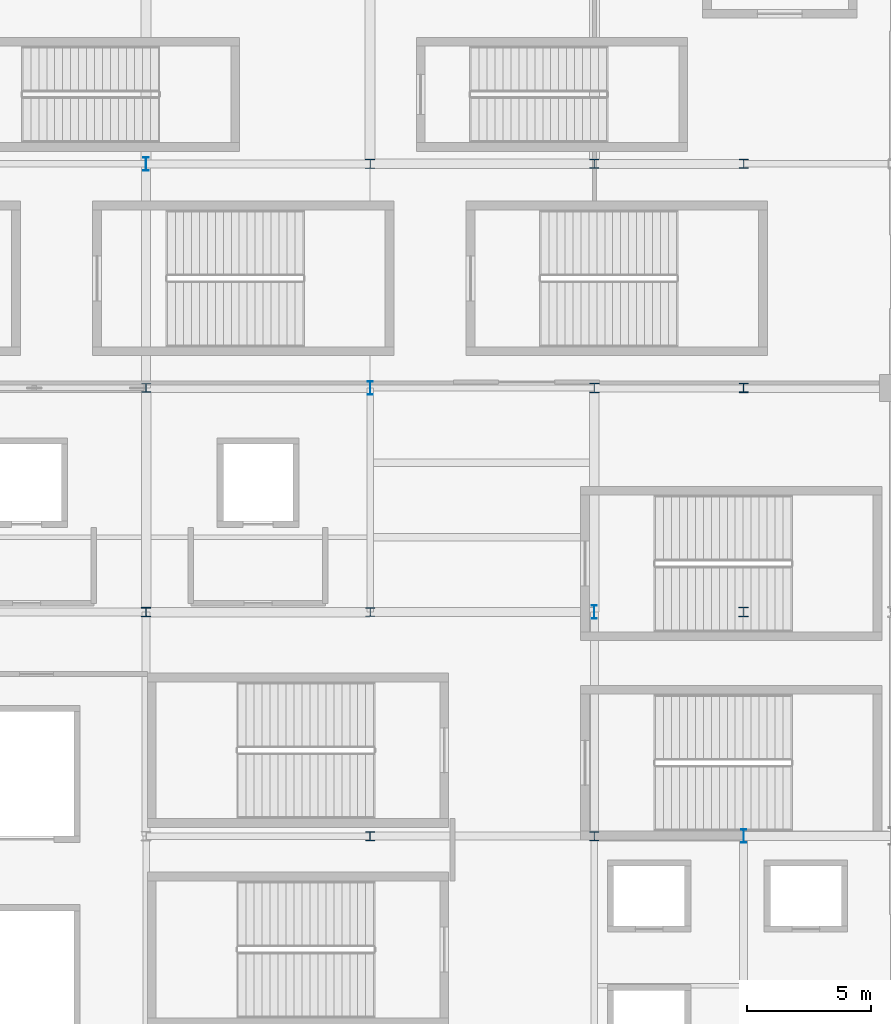
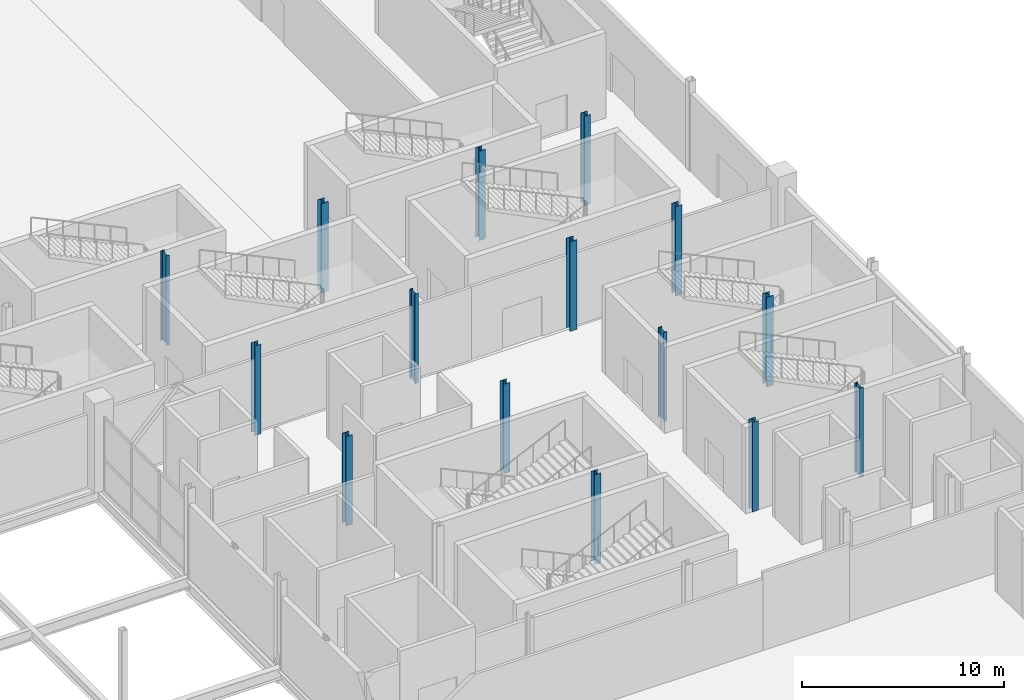
# One storey, part 20 of 94: 15 columns.
"""IFC4 building model written with IfcOpenShell, lengths in metres."""

from ifc_helpers import new_model, si_unit, direction, frame, origin, origin_2d, place, context, subcontext, project, spatial, i_section, extrude, material, material_profile, profile_set, type_object, element, save


model = new_model("IFC4")

# Units and contexts
model_context = context("Model", 3, precision=1e-05, world=origin(), true_north=direction((0.0, 1.0)))
body_context = subcontext(model_context, "Body", "Model", "MODEL_VIEW")
ifc_project = project(units=[si_unit("LENGTHUNIT", "METRE"), si_unit("AREAUNIT", "SQUARE_METRE"), si_unit("VOLUMEUNIT", "CUBIC_METRE"), si_unit("PLANEANGLEUNIT", "RADIAN"), si_unit("MASSUNIT", "GRAM", prefix="KILO")], contexts=[model_context])

# Site, building, storey
site_placement = place(None, origin())
site = spatial("IfcSite", under=ifc_project, at=site_placement, CompositionType="ELEMENT")
building_placement = place(site_placement, origin())
building = spatial("IfcBuilding", under=site, at=building_placement, Name="Qamarlyn Nura Convention Centre", CompositionType="ELEMENT")
storey_placement = place(building_placement, origin())
storey = spatial("IfcBuildingStorey", under=building, at=storey_placement, Name="L00", CompositionType="ELEMENT", Elevation=0.0)

# Columns
ifc_material = material(Name="Steel ASTM A992", Category="steel")
ifc_material_profile_1 = material_profile(ifc_material, i_section(OverallWidth=0.39892578125, OverallDepth=0.39306640625, WebThickness=0.022705078125, FlangeThickness=0.03662109375, FilletRadius=0.01806640625, at=origin_2d()), Name="W360X287")
ifc_profile_set_1 = profile_set([ifc_material_profile_1], Name="Steel ASTM A992")
column_type_1 = type_object("IfcColumnType", Name="COL-WING-1", PredefinedType="COLUMN", material=ifc_profile_set_1)
for number, where, z_axis, x_axis, name in (
    (1, (171.0, 90.0, 0.0), (0.0, 0.0, 1.0), (1.0, 0.0, 0.0), "L00 column 15/L"),
    (2, (180.0, 81.0, 0.0), (0.0, 0.0, 1.0), (1.0, 0.0, 0.0), "L00 column 16/K"),
    (3, (186.0, 72.0, 0.0), (0.0, 0.0, 1.0), (1.0, 0.0, 0.0), "L00 column 17/J"),
):
    element("IfcColumn", number, at=place(storey_placement, frame(where, z_axis=z_axis, x_axis=x_axis)), inside=storey, type_object=column_type_1, Name=name, PredefinedType="COLUMN", context=body_context, shape_type="SweptSolid", body=[
        extrude(i_section(OverallWidth=0.39892578125, OverallDepth=0.39306640625, WebThickness=0.022705078125, FlangeThickness=0.03662109375, FilletRadius=0.01806640625, at=origin_2d()), origin(), (0.0, 0.0, 1.0), 5.39990234375),
    ])
ifc_material_profile_2 = material_profile(ifc_material, i_section(OverallWidth=0.3740234375, OverallDepth=0.3720703125, WebThickness=0.016357421875, FlangeThickness=0.026123046875, FilletRadius=0.01611328125, at=origin_2d()), Name="W360X196")
ifc_profile_set_2 = profile_set([ifc_material_profile_2], Name="Steel ASTM A992")
column_type_2 = type_object("IfcColumnType", Name="COL-WING-2", PredefinedType="COLUMN", material=ifc_profile_set_2)
for number, where, z_axis, x_axis, name in (
    (4, (162.0, 72.0, 0.0), (0.0, 0.0, 1.0), (1.0, 0.0, 0.0), "L00 column 14/J"),
    (5, (171.0, 63.0, 0.0), (0.0, 0.0, 1.0), (1.0, 0.0, 0.0), "L00 column 15/H"),
    (6, (180.0, 90.0, 0.0), (0.0, 0.0, 1.0), (1.0, 0.0, 0.0), "L00 column 16/L"),
    (7, (186.0, 81.0, 0.0), (0.0, 0.0, 1.0), (1.0, 0.0, 0.0), "L00 column 17/K"),
):
    element("IfcColumn", number, at=place(storey_placement, frame(where, z_axis=z_axis, x_axis=x_axis)), inside=storey, type_object=column_type_2, Name=name, PredefinedType="COLUMN", context=body_context, shape_type="SweptSolid", body=[
        extrude(i_section(OverallWidth=0.3740234375, OverallDepth=0.3720703125, WebThickness=0.016357421875, FlangeThickness=0.026123046875, FilletRadius=0.01611328125, at=origin_2d()), origin(), (0.0, 0.0, 1.0), 5.39990234375),
    ])
ifc_material_profile_3 = material_profile(ifc_material, i_section(OverallWidth=0.368896484375, OverallDepth=0.35595703125, WebThickness=0.01123046875, FlangeThickness=0.01806640625, FilletRadius=0.014892578125, at=origin_2d()), Name="W360X134")
ifc_profile_set_3 = profile_set([ifc_material_profile_3], Name="Steel ASTM A992")
column_type_3 = type_object("IfcColumnType", Name="COL-WING-3", PredefinedType="COLUMN", material=ifc_profile_set_3)
for number, where, z_axis, x_axis, name in (
    (8, (162.0, 81.0, 0.0), (0.0, 0.0, 1.0), (1.0, 0.0, 0.0), "L00 column 14/K"),
    (9, (171.0, 72.0, 0.0), (0.0, 0.0, 1.0), (1.0, 0.0, 0.0), "L00 column 15/J"),
    (10, (180.0, 63.0, 0.0), (0.0, 0.0, 1.0), (1.0, 0.0, 0.0), "L00 column 16/H"),
    (11, (186.0, 90.0, 0.0), (0.0, 0.0, 1.0), (1.0, 0.0, 0.0), "L00 column 17/L"),
):
    element("IfcColumn", number, at=place(storey_placement, frame(where, z_axis=z_axis, x_axis=x_axis)), inside=storey, type_object=column_type_3, Name=name, PredefinedType="COLUMN", context=body_context, shape_type="SweptSolid", body=[
        extrude(i_section(OverallWidth=0.368896484375, OverallDepth=0.35595703125, WebThickness=0.01123046875, FlangeThickness=0.01806640625, FilletRadius=0.014892578125, at=origin_2d()), origin(), (0.0, 0.0, 1.0), 5.39990234375),
    ])
ifc_material_profile_4 = material_profile(ifc_material, i_section(OverallWidth=0.2109375, OverallDepth=0.5390625, WebThickness=0.01171875, FlangeThickness=0.018798828125, FilletRadius=0.013916015625, at=origin_2d()), Name="W530X109")
ifc_profile_set_4 = profile_set([ifc_material_profile_4], Name="Steel ASTM A992")
column_type_4 = type_object("IfcColumnType", Name="COL-WING-7", PredefinedType="COLUMN", material=ifc_profile_set_4)
for number, where, z_axis, x_axis, name in (
    (12, (162.0, 90.0, 0.0), (0.0, 0.0, 1.0), (1.0, 0.0, 0.0), "L00 column 14/L"),
    (13, (171.0, 81.0, 0.0), (0.0, 0.0, 1.0), (1.0, 0.0, 0.0), "L00 column 15/K"),
    (14, (180.0, 72.0, 0.0), (0.0, 0.0, 1.0), (1.0, 0.0, 0.0), "L00 column 16/J"),
    (15, (186.0, 63.0, 0.0), (0.0, 0.0, 1.0), (1.0, 0.0, 0.0), "L00 column 17/H"),
):
    element("IfcColumn", number, at=place(storey_placement, frame(where, z_axis=z_axis, x_axis=x_axis)), inside=storey, type_object=column_type_4, Name=name, PredefinedType="COLUMN", context=body_context, shape_type="SweptSolid", body=[
        extrude(i_section(OverallWidth=0.2109375, OverallDepth=0.5390625, WebThickness=0.01171875, FlangeThickness=0.018798828125, FilletRadius=0.013916015625, at=origin_2d()), origin(), (0.0, 0.0, 1.0), 5.39990234375),
    ])

save(model, "model.ifc")
